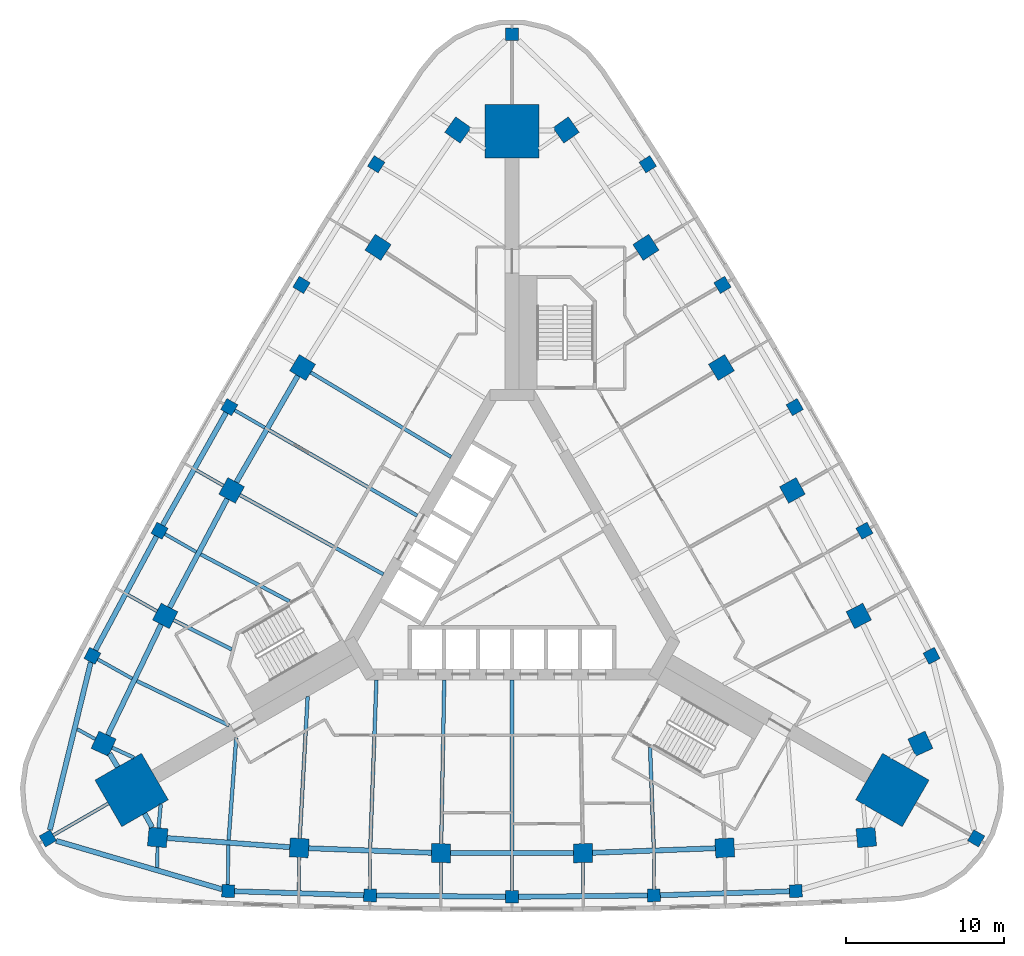
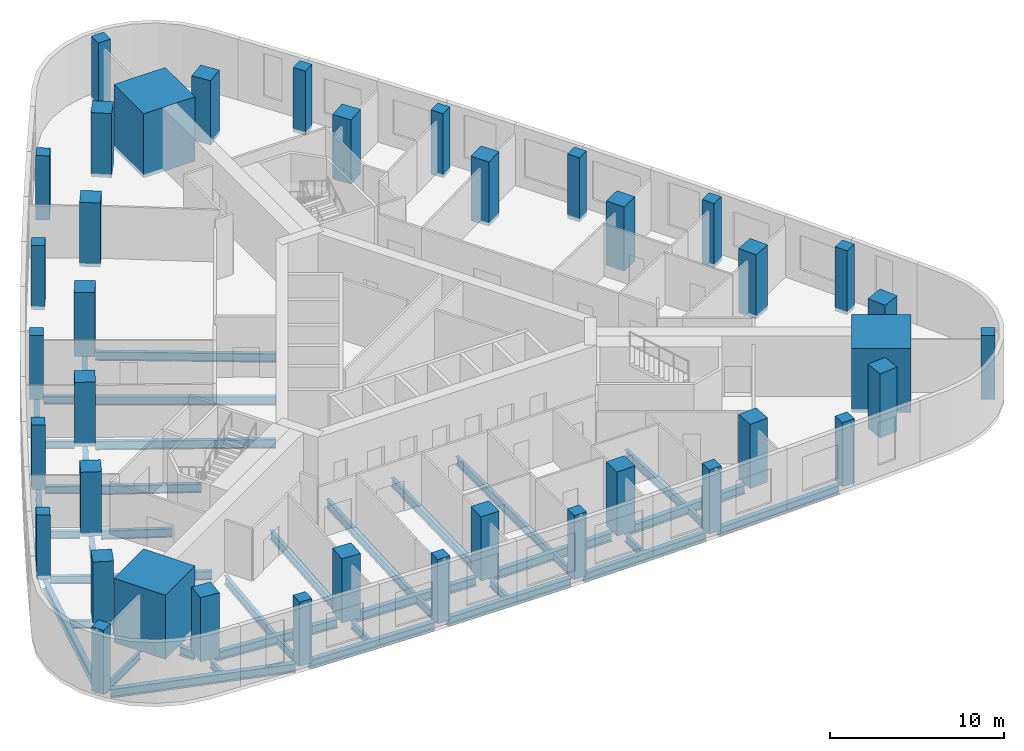
# One storey, part 1 of 11: 46 beams, 39 columns.
"""IFC4 building model written with IfcOpenShell, lengths in metres."""

import ifcopenshell
import ifcopenshell.guid

model = None  # the IFC model being written
_history = None  # IfcOwnerHistory: only IFC2X3 demands one
_inside = {}  # id of a spatial element -> (the spatial element, [elements in it])
_under = {}  # id of a project, library or spatial element -> (it, [spatial elements below it])
_declared = {}  # id of a project -> (the project, [libraries it declares])
_typed = {}  # id of a type object -> (the type object, [elements of that type])
_made_of = {}  # id of a material, layer set ... -> (it, [elements and type objects made of it])


def new_model(schema):
    """Start an empty IFC model of exactly this schema.

    Asked for "IFC4X3", IfcOpenShell would pick the latest addendum, in which some entities
    have other attributes; the version numbers below select the first issue.
    IFC2X3 requires an IfcOwnerHistory on every rooted entity: one is made here for all.
    """
    global model, _history
    if schema == "IFC4X3":
        model = ifcopenshell.file(schema_version=(4, 3, 0, 0))
    else:
        model = ifcopenshell.file(schema=schema)
    _inside.clear()
    _under.clear()
    _declared.clear()
    _typed.clear()
    _made_of.clear()
    _history = None
    if model.schema == "IFC2X3":
        org = make("IfcOrganization", Name="unknown")
        user = make(
            "IfcPersonAndOrganization",
            ThePerson=make("IfcPerson", FamilyName="unknown"),
            TheOrganization=org,
        )
        app = make(
            "IfcApplication",
            ApplicationDeveloper=org,
            Version="unknown",
            ApplicationFullName="unknown",
            ApplicationIdentifier="unknown",
        )
        _history = make(
            "IfcOwnerHistory",
            OwningUser=user,
            OwningApplication=app,
            ChangeAction="ADDED",
            CreationDate=0,
        )
    return model


def make(cls, **values):
    """One entity of the class cls with the attributes given. An attribute that is None is left unset."""
    return model.create_entity(
        cls, **{name: value for name, value in values.items() if value is not None}
    )


def rooted(cls, **values):
    """An entity with a GlobalId (a new one), such as an element, a storey or a relation."""
    return make(cls, GlobalId=ifcopenshell.guid.new(), OwnerHistory=_history, **values)


def si_unit(unit_type, name, prefix=None):
    """IfcSIUnit, for example si_unit("LENGTHUNIT", "METRE", prefix="MILLI")."""
    return make("IfcSIUnit", UnitType=unit_type, Prefix=prefix, Name=name)


def assignment(units):
    """IfcUnitAssignment: the units of a project."""
    return None if units is None else make("IfcUnitAssignment", Units=units)


def point(xyz):
    """IfcCartesianPoint."""
    return None if xyz is None else make("IfcCartesianPoint", Coordinates=xyz)


def direction(xyz):
    """IfcDirection."""
    return None if xyz is None else make("IfcDirection", DirectionRatios=xyz)


def frame(location, z_axis=None, x_axis=None):
    """IfcAxis2Placement3D, a coordinate frame: its origin and axes. An axis left out is left unset."""
    return make(
        "IfcAxis2Placement3D",
        Location=point(location),
        Axis=direction(z_axis),
        RefDirection=direction(x_axis),
    )


def frame_2d(location, x_axis=None):
    """IfcAxis2Placement2D, a coordinate frame in the plane: its origin and x axis."""
    return make(
        "IfcAxis2Placement2D", Location=point(location), RefDirection=direction(x_axis)
    )


def origin():
    """The frame at (0, 0, 0) with its axes left unset."""
    return frame((0.0, 0.0, 0.0))


def origin_2d():
    """The frame at (0, 0) in the plane with its x axis left unset."""
    return frame_2d((0.0, 0.0))


def place(relative_to, where):
    """IfcLocalPlacement: puts the frame where relative to a parent placement (None: the world)."""
    return make(
        "IfcLocalPlacement", PlacementRelTo=relative_to, RelativePlacement=where
    )


def context(
    kind, dimensions, precision=None, world=None, true_north=None, identifier=None
):
    """IfcGeometricRepresentationContext, for example the 3D "Model" context."""
    return make(
        "IfcGeometricRepresentationContext",
        ContextIdentifier=identifier,
        ContextType=kind,
        CoordinateSpaceDimension=dimensions,
        Precision=precision,
        WorldCoordinateSystem=world,
        TrueNorth=true_north,
    )


def subcontext(parent, identifier, kind, view, scale=None):
    """IfcGeometricRepresentationSubContext, for example "Body" below "Model"."""
    return make(
        "IfcGeometricRepresentationSubContext",
        ContextIdentifier=identifier,
        ContextType=kind,
        ParentContext=parent,
        TargetScale=scale,
        TargetView=view,
    )


def project(units=None, contexts=None):
    """IfcProject with its units and contexts."""
    return rooted(
        "IfcProject",
        Name="project",
        RepresentationContexts=contexts,
        UnitsInContext=assignment(units),
    )


def spatial(cls, under=None, at=None, **own):
    """A site, building, storey or space (cls), placed at a placement, below another one or the project."""
    s = rooted(cls, ObjectPlacement=at, **own)
    if under is not None:
        _under.setdefault(under.id(), (under, []))[1].append(s)
    return s


def profile(cls, at=None, kind="AREA", **sizes):
    """A parametric profile (cls). Its sizes go by their IFC names, for example OverallWidth=200.0."""
    return make(cls, ProfileType=kind, Position=at, **sizes)


def rectangle(**sizes):
    """IfcRectangleProfileDef."""
    return profile("IfcRectangleProfileDef", **sizes)


def i_section(**sizes):
    """IfcIShapeProfileDef."""
    return profile("IfcIShapeProfileDef", **sizes)


def extrude(swept, where, along, depth):
    """IfcExtrudedAreaSolid: the profile swept, set in the frame where, extruded along a direction by depth."""
    return make(
        "IfcExtrudedAreaSolid",
        SweptArea=swept,
        Position=where,
        ExtrudedDirection=direction(along),
        Depth=depth,
    )


def shape(context_of_items, identifier, shape_type, items):
    """IfcShapeRepresentation: the items that make up one representation, for example the "Body"."""
    return make(
        "IfcShapeRepresentation",
        ContextOfItems=context_of_items,
        RepresentationIdentifier=identifier,
        RepresentationType=shape_type,
        Items=items,
    )


def material(Name=None, Category=None):
    """IfcMaterial."""
    return make("IfcMaterial", Name=Name, Category=Category)


def material_profile(
    of_material, cross_section, Name=None, Category=None, Priority=None
):
    """IfcMaterialProfile: a cross section and its material."""
    return make(
        "IfcMaterialProfile",
        Name=Name,
        Material=of_material,
        Profile=cross_section,
        Priority=Priority,
        Category=Category,
    )


def profile_set(profiles, Name=None, composite=None):
    """IfcMaterialProfileSet."""
    return make(
        "IfcMaterialProfileSet",
        Name=Name,
        MaterialProfiles=profiles,
        CompositeProfile=composite,
    )


def made_of(thing, what):
    """Note that an element or type object is made of a material, layer set ...; save() writes the relation."""
    if what is not None:
        _made_of.setdefault(what.id(), (what, []))[1].append(thing)
    return thing


def type_object(cls, material=None, **own):
    """A type object (cls), such as IfcWallType, which elements share."""
    return made_of(rooted(cls, **own), material)


def element(
    cls,
    number,
    at=None,
    inside=None,
    cuts=None,
    type_object=None,
    material=None,
    context=None,
    identifier="Body",
    shape_type=None,
    held_by="IfcProductDefinitionShape",
    body=None,
    shapes=None,
    **own,
):
    """One element of the class cls, such as IfcWall. Its Tag is "e" and its number.

    at: its placement. inside: the storey or other place that contains it. cuts: it is an
    opening in that element (IfcRelVoidsElement). A single representation is given by context,
    identifier, shape_type and body (its items); several are given by shapes. held_by: the class
    of the entity that holds the representations. save() writes the other relations.
    """
    e = rooted(cls, Tag="e%d" % number, ObjectPlacement=at, **own)
    if body is not None:
        shapes = [shape(context, identifier, shape_type, body)]
    if shapes is not None:
        e.Representation = make(held_by, Representations=shapes)
    if inside is not None:
        _inside.setdefault(inside.id(), (inside, []))[1].append(e)
    if cuts is not None:
        rooted(
            "IfcRelVoidsElement", RelatingBuildingElement=cuts, RelatedOpeningElement=e
        )
    if type_object is not None:
        _typed.setdefault(type_object.id(), (type_object, []))[1].append(e)
    return made_of(e, material)


def aggregate(whole, parts):
    """IfcRelAggregates: a whole, such as a stair, and the parts it consists of."""
    return rooted("IfcRelAggregates", RelatingObject=whole, RelatedObjects=parts)


def save(model, path):
    """Write the relations noted so far, then the file.

    IfcRelAggregates (storeys below a building ...), IfcRelContainedInSpatialStructure (elements
    in a storey), IfcRelDefinesByType, IfcRelAssociatesMaterial and IfcRelDeclares: one each for
    every whole, place, type object, material and project.
    """
    for whole, parts in _under.values():
        aggregate(whole, parts)
    for where, things in _inside.values():
        rooted(
            "IfcRelContainedInSpatialStructure",
            RelatedElements=things,
            RelatingStructure=where,
        )
    for kind, things in _typed.values():
        rooted("IfcRelDefinesByType", RelatedObjects=things, RelatingType=kind)
    for what, things in _made_of.values():
        rooted("IfcRelAssociatesMaterial", RelatedObjects=things, RelatingMaterial=what)
    for by, libraries in _declared.values():
        rooted("IfcRelDeclares", RelatingContext=by, RelatedDefinitions=libraries)
    model.write(path)


model = new_model("IFC4")

# Units and contexts
model_context = context("Model", 3, precision=1e-05, world=origin(), true_north=direction((0.0, 1.0)))
body_context = subcontext(model_context, "Body", "Model", "MODEL_VIEW")
ifc_project = project(units=[si_unit("LENGTHUNIT", "METRE"), si_unit("AREAUNIT", "SQUARE_METRE"), si_unit("VOLUMEUNIT", "CUBIC_METRE"), si_unit("PLANEANGLEUNIT", "RADIAN"), si_unit("MASSUNIT", "GRAM", prefix="KILO")], contexts=[model_context])

# Site, building, storey
site_placement = place(None, origin())
site = spatial("IfcSite", under=ifc_project, at=site_placement, CompositionType="ELEMENT")
building_placement = place(site_placement, origin())
building = spatial("IfcBuilding", under=site, at=building_placement, Name="Noor Cloister Tower", CompositionType="ELEMENT")
storey_placement = place(building_placement, frame((0.0, 0.0, 15.0)))
storey = spatial("IfcBuildingStorey", under=building, at=storey_placement, Name="L03", CompositionType="ELEMENT", Elevation=15.0)

# Columns
ifc_material_1 = material(Name="Concrete C80/95", Category="concrete")
ifc_material_profile_1 = material_profile(ifc_material_1, rectangle(XDim=3.39990234375, YDim=3.39990234375, at=origin_2d()), Name="RC 3400x3400")
ifc_profile_set_1 = profile_set([ifc_material_profile_1], Name="Concrete C80/95")
column_type_1 = type_object("IfcColumnType", Name="Corner pier 3400 x 3400 C80/95", PredefinedType="COLUMN", material=ifc_profile_set_1)
for number, where, z_axis, x_axis, name in (
    (1, (0.0, 27.7890625, -0.25), (0.0, 0.0, 1.0), (0.0, 1.0, 0.0), "Corner pier N L03"),
    (2, (-24.06591796875, -13.89453125, -0.25), (0.0, 0.0, 1.0), (-0.866025403784, -0.5, 0.0), "Corner pier SW L03"),
    (3, (24.06591796875, -13.89453125, -0.25), (0.0, 0.0, 1.0), (0.866025403784, -0.5, 0.0), "Corner pier SE L03"),
):
    element("IfcColumn", number, at=place(storey_placement, frame(where, z_axis=z_axis, x_axis=x_axis)), inside=storey, type_object=column_type_1, Name=name, PredefinedType="COLUMN", context=body_context, shape_type="SweptSolid", body=[
        extrude(rectangle(XDim=3.39990234375, YDim=3.39990234375, at=origin_2d()), origin(), (0.0, 0.0, 1.0), 4.5),
    ])
ifc_material_2 = material(Name="Concrete C80/95", Category="concrete")
ifc_material_profile_2 = material_profile(ifc_material_2, rectangle(XDim=1.199951171875, YDim=1.199951171875, at=origin_2d()), Name="Podium column 1200")
ifc_profile_set_2 = profile_set([ifc_material_profile_2], Name="Concrete C80/95")
column_type_2 = type_object("IfcColumnType", Name="Podium column 1200", PredefinedType="COLUMN", material=ifc_profile_set_2)
for number, where, z_axis, x_axis, name in (
    (4, (-3.421142578125, 27.85986328125, -0.25), (0.0, 0.0, 1.0), (-0.815983256934, 0.578075535205, 0.0), "Column NW 00"),
    (5, (-8.474853515625, 20.43798828125, -0.25), (0.0, 0.0, 1.0), (-0.836867705394, 0.547405191489, 0.0), "Column NW 02"),
    (6, (-13.249755859375, 12.833740234375, -0.25), (0.0, 0.0, 1.0), (-0.856599929156, 0.515981163775, 0.0), "Column NW 04"),
    (7, (-17.7392578125, 5.0576171875, -0.25), (0.0, 0.0, 1.0), (-0.875152760281, 0.483846717641, 0.0), "Column NW 06"),
    (8, (-21.937255859375, -2.879638671875, -0.25), (0.0, 0.0, 1.0), (-0.89250065469, 0.451046096733, 0.0), "Column NW 08"),
    (9, (-25.837890625, -10.96728515625, -0.25), (0.0, 0.0, 1.0), (-0.908619727261, 0.417624461966, 0.0), "Column NW 10"),
    (10, (-22.416748046875, -16.892578125, -0.25), (0.0, 0.0, 1.0), (-0.092636470327, -0.995699997171, 0.0), "Column S 00"),
    (11, (-13.46240234375, -17.558349609375, -0.25), (0.0, 0.0, 1.0), (-0.055632949296, -0.998451288222, 0.0), "Column S 02"),
    (12, (-4.489501953125, -17.8916015625, -0.25), (0.0, 0.0, 1.0), (-0.018552831126, -0.999827881416, 0.0), "Column S 04"),
    (13, (4.489501953125, -17.8916015625, -0.25), (0.0, 0.0, 1.0), (0.018552831126, -0.999827881416, 0.0), "Column S 06"),
    (14, (13.46240234375, -17.558349609375, -0.25), (0.0, 0.0, 1.0), (0.055632949296, -0.998451288222, 0.0), "Column S 08"),
    (15, (22.416748046875, -16.892578125, -0.25), (0.0, 0.0, 1.0), (0.092636470327, -0.995699997171, 0.0), "Column S 10"),
    (16, (25.837890625, -10.96728515625, -0.25), (0.0, 0.0, 1.0), (0.908619727261, 0.417624461966, 0.0), "Column NE 00"),
    (17, (21.937255859375, -2.879638671875, -0.25), (0.0, 0.0, 1.0), (0.89250065469, 0.451046096733, 0.0), "Column NE 02"),
    (18, (17.7392578125, 5.0576171875, -0.25), (0.0, 0.0, 1.0), (0.875152760281, 0.483846717641, 0.0), "Column NE 04"),
    (19, (13.249755859375, 12.833740234375, -0.25), (0.0, 0.0, 1.0), (0.856599929156, 0.515981163775, 0.0), "Column NE 06"),
    (20, (8.474853515625, 20.43798828125, -0.25), (0.0, 0.0, 1.0), (0.836867705394, 0.547405191489, 0.0), "Column NE 08"),
    (21, (3.421142578125, 27.85986328125, -0.25), (0.0, 0.0, 1.0), (0.815983256934, 0.578075535205, 0.0), "Column NE 10"),
):
    element("IfcColumn", number, at=place(storey_placement, frame(where, z_axis=z_axis, x_axis=x_axis)), inside=storey, type_object=column_type_2, Name=name, PredefinedType="COLUMN", context=body_context, shape_type="SweptSolid", body=[
        extrude(rectangle(XDim=1.199951171875, YDim=1.199951171875, at=origin_2d()), origin(), (0.0, 0.0, 1.0), 4.5),
    ])
ifc_material_3 = material(Name="Concrete C60/75", Category="concrete")
ifc_material_profile_3 = material_profile(ifc_material_3, rectangle(XDim=0.800048828125, YDim=0.800048828125, at=origin_2d()), Name="Podium column 800")
ifc_profile_set_3 = profile_set([ifc_material_profile_3], Name="Concrete C60/75")
column_type_3 = type_object("IfcColumnType", Name="Podium column 800", PredefinedType="COLUMN", material=ifc_profile_set_3)
for number, where, z_axis, x_axis, name in (
    (22, (0.0, 33.9130859375, -0.25), (0.0, 0.0, 1.0), (0.0, 1.0, 0.0), "Perimeter column N"),
    (23, (-8.59228515625, 25.694580078125, -0.25), (0.0, 0.0, 1.0), (-0.844762079338, 0.535142064607, 0.0), "Perimeter column NW 01"),
    (24, (-13.31982421875, 18.059326171875, -0.25), (0.0, 0.0, 1.0), (-0.855574189811, 0.517680215702, 0.0), "Perimeter column NW 03"),
    (25, (-17.8896484375, 10.32861328125, -0.25), (0.0, 0.0, 1.0), (-0.866025403784, 0.5, 0.0), "Perimeter column NW 05"),
    (26, (-22.2998046875, 2.505615234375, -0.25), (0.0, 0.0, 1.0), (-0.87611131274, 0.482108875348, 0.0), "Perimeter column NW 07"),
    (27, (-26.54833984375, -5.406005859375, -0.25), (0.0, 0.0, 1.0), (-0.885827662253, 0.464014388557, 0.0), "Perimeter column NW 09"),
    (28, (-29.36962890625, -16.95654296875, -0.25), (0.0, 0.0, 1.0), (-0.866025403784, -0.5, 0.0), "Perimeter column SW"),
    (29, (-17.955810546875, -20.288330078125, -0.25), (0.0, 0.0, 1.0), (-0.041065582914, -0.999156453164, 0.0), "Perimeter column S 01"),
    (30, (-8.979736328125, -20.56494140625, -0.25), (0.0, 0.0, 1.0), (-0.020537122929, -0.99978909105, 0.0), "Perimeter column S 03"),
    (31, (0.0, -20.6572265625, -0.25), (0.0, 0.0, 1.0), (0.0, -1.0, 0.0), "Perimeter column S 05"),
    (32, (8.979736328125, -20.56494140625, -0.25), (0.0, 0.0, 1.0), (0.020537122929, -0.99978909105, 0.0), "Perimeter column S 07"),
    (33, (17.955810546875, -20.288330078125, -0.25), (0.0, 0.0, 1.0), (0.041065582914, -0.999156453164, 0.0), "Perimeter column S 09"),
    (34, (29.36962890625, -16.95654296875, -0.25), (0.0, 0.0, 1.0), (0.866025403784, -0.5, 0.0), "Perimeter column SE"),
    (35, (26.54833984375, -5.406005859375, -0.25), (0.0, 0.0, 1.0), (0.885827662253, 0.464014388557, 0.0), "Perimeter column NE 01"),
    (36, (22.2998046875, 2.505615234375, -0.25), (0.0, 0.0, 1.0), (0.87611131274, 0.482108875348, 0.0), "Perimeter column NE 03"),
    (37, (17.8896484375, 10.32861328125, -0.25), (0.0, 0.0, 1.0), (0.866025403784, 0.5, 0.0), "Perimeter column NE 05"),
    (38, (13.31982421875, 18.059326171875, -0.25), (0.0, 0.0, 1.0), (0.855574189811, 0.517680215702, 0.0), "Perimeter column NE 07"),
    (39, (8.59228515625, 25.694580078125, -0.25), (0.0, 0.0, 1.0), (0.844762079338, 0.535142064607, 0.0), "Perimeter column NE 09"),
):
    element("IfcColumn", number, at=place(storey_placement, frame(where, z_axis=z_axis, x_axis=x_axis)), inside=storey, type_object=column_type_3, Name=name, PredefinedType="COLUMN", context=body_context, shape_type="SweptSolid", body=[
        extrude(rectangle(XDim=0.800048828125, YDim=0.800048828125, at=origin_2d()), origin(), (0.0, 0.0, 1.0), 4.5),
    ])

# Beams
ifc_material_4 = material(Name="Steel ASTM A992 Gr 50", Category="steel")
ifc_material_profile_4 = material_profile(ifc_material_4, i_section(OverallWidth=0.324951171875, OverallDepth=0.612060546875, WebThickness=0.0126953125, FlangeThickness=0.01904296875, FilletRadius=0.0126953125, at=origin_2d()), Name="W610x155")
ifc_profile_set_4 = profile_set([ifc_material_profile_4], Name="Steel ASTM A992 Gr 50")
beam_type_1 = type_object("IfcBeamType", Name="Podium column line beam W610x155", PredefinedType="BEAM", material=ifc_profile_set_4)
beam_1_placement = place(storey_placement, frame((-13.5498046875, 12.314208984375, -0.555908203125), z_axis=(-0.499990506207, -0.866030884959, 0.0), x_axis=(0.866030884959, -0.499990506207, 0.0)))
element("IfcBeam", 40, at=beam_1_placement, inside=storey, type_object=beam_type_1, Name="Podium column line beam NW 04 L03", PredefinedType="BEAM", context=body_context, shape_type="SweptSolid", body=[
    extrude(i_section(OverallWidth=0.324951171875, OverallDepth=0.612060546875, WebThickness=0.0126953125, FlangeThickness=0.01904296875, FilletRadius=0.0126953125, at=origin_2d()), origin(), (0.0, 0.0, 1.0), 7.779052734375),
])
for number, where, z_axis, x_axis, name in (
    (41, (-18.019775390625, 4.527099609375, -0.555908203125), (-0.467547366886, -0.883968019624, 0.0), (0.883968019624, -0.467547366886, 0.0), "Podium column line beam NW 06 L03"),
    (42, (-22.197998046875, -3.420166015625, -0.555908203125), (-0.434400589533, -0.900719783181, 0.0), (0.900719783181, -0.434400589533, 0.0), "Podium column line beam NW 08 L03"),
):
    element("IfcBeam", number, at=place(storey_placement, frame(where, z_axis=z_axis, x_axis=x_axis)), inside=storey, type_object=beam_type_1, Name=name, PredefinedType="BEAM", context=body_context, shape_type="SweptSolid", body=[
        extrude(i_section(OverallWidth=0.324951171875, OverallDepth=0.612060546875, WebThickness=0.0126953125, FlangeThickness=0.01904296875, FilletRadius=0.0126953125, at=origin_2d()), origin(), (0.0, 0.0, 1.0), 7.77880859375),
    ])
for number, where, z_axis, x_axis, name in (
    (43, (-21.818359375, -16.93701171875, -0.555908203125), (0.997246218275, -0.074161850945, 0.0), (0.074161850945, 0.997246218275, 0.0), "Podium column line beam S 00 L03"),
    (44, (-12.86279296875, -17.58056640625, -0.555908203125), (0.999311691731, -0.037096398343, 0.0), (0.037096398343, 0.999311691731, 0.0), "Podium column line beam S 02 L03"),
):
    element("IfcBeam", number, at=place(storey_placement, frame(where, z_axis=z_axis, x_axis=x_axis)), inside=storey, type_object=beam_type_1, Name=name, PredefinedType="BEAM", context=body_context, shape_type="SweptSolid", body=[
        extrude(i_section(OverallWidth=0.324951171875, OverallDepth=0.612060546875, WebThickness=0.0126953125, FlangeThickness=0.01904296875, FilletRadius=0.0126953125, at=origin_2d()), origin(), (0.0, 0.0, 1.0), 7.779052734375),
    ])
beam_2_placement = place(storey_placement, frame((-3.889404296875, -17.8916015625, -0.555908203125), z_axis=(1.0, 0.0, 0.0), x_axis=(0.0, 1.0, 0.0)))
element("IfcBeam", 45, at=beam_2_placement, inside=storey, type_object=beam_type_1, Name="Podium column line beam S 04 L03", PredefinedType="BEAM", context=body_context, shape_type="SweptSolid", body=[
    extrude(i_section(OverallWidth=0.324951171875, OverallDepth=0.612060546875, WebThickness=0.0126953125, FlangeThickness=0.01904296875, FilletRadius=0.0126953125, at=origin_2d()), origin(), (0.0, 0.0, 1.0), 7.77880859375),
])
beam_3_placement = place(storey_placement, frame((5.089111328125, -17.869140625, -0.555908203125), z_axis=(0.999311691731, 0.037096398343, 0.0), x_axis=(-0.037096398343, 0.999311691731, 0.0)))
element("IfcBeam", 46, at=beam_3_placement, inside=storey, type_object=beam_type_1, Name="Podium column line beam S 06 L03", PredefinedType="BEAM", context=body_context, shape_type="SweptSolid", body=[
    extrude(i_section(OverallWidth=0.324951171875, OverallDepth=0.612060546875, WebThickness=0.0126953125, FlangeThickness=0.01904296875, FilletRadius=0.0126953125, at=origin_2d()), origin(), (0.0, 0.0, 1.0), 7.779052734375),
])
for number, where, z_axis, x_axis, name in (
    (47, (-25.46240234375, -11.58740234375, -0.555908203125), (0.517698861359, -0.855562907651, 0.0), (0.855562907651, 0.517698861359, 0.0), "Podium end beam NW 10 L03"),
    (48, (-22.76611328125, -16.257568359375, -0.555908203125), (-0.48185292196, 0.876252110753, 0.0), (-0.876252110753, -0.48185292196, 0.0), "Podium end beam S 00 L03"),
):
    element("IfcBeam", number, at=place(storey_placement, frame(where, z_axis=z_axis, x_axis=x_axis)), inside=storey, type_object=beam_type_1, Name=name, PredefinedType="BEAM", context=body_context, shape_type="SweptSolid", body=[
        extrude(i_section(OverallWidth=0.324951171875, OverallDepth=0.612060546875, WebThickness=0.0126953125, FlangeThickness=0.01904296875, FilletRadius=0.0126953125, at=origin_2d()), origin(), (0.0, 0.0, 1.0), 0.99658203125),
    ])
ifc_material_5 = material(Name="Steel ASTM A992 Gr 50", Category="steel")
ifc_material_profile_5 = material_profile(ifc_material_5, i_section(OverallWidth=0.324951171875, OverallDepth=0.616943359375, WebThickness=0.013916015625, FlangeThickness=0.021484375, FilletRadius=0.0126953125, at=origin_2d()), Name="W610x174")
ifc_profile_set_5 = profile_set([ifc_material_profile_5], Name="Steel ASTM A992 Gr 50")
beam_type_2 = type_object("IfcBeamType", Name="Podium perimeter beam W610x174", PredefinedType="BEAM", material=ifc_profile_set_5)
for number, where, z_axis, x_axis, name in (
    (49, (-18.086181640625, 9.980224609375, -0.55859375), (-0.491071539523, -0.871119247331, 0.0), (0.871119247331, -0.491071539523, 0.0), "Podium perimeter beam 04 L03"),
    (50, (-22.489013671875, 2.1533203125, -0.55859375), (-0.47307258725, -0.881023454394, 0.0), (0.881023454394, -0.47307258725, 0.0), "Podium perimeter beam 05 L03"),
):
    element("IfcBeam", number, at=place(storey_placement, frame(where, z_axis=z_axis, x_axis=x_axis)), inside=storey, type_object=beam_type_2, Name=name, PredefinedType="BEAM", context=body_context, shape_type="SweptSolid", body=[
        extrude(i_section(OverallWidth=0.324951171875, OverallDepth=0.616943359375, WebThickness=0.013916015625, FlangeThickness=0.021484375, FilletRadius=0.0126953125, at=origin_2d()), origin(), (0.0, 0.0, 1.0), 8.18017578125),
    ])
for number, where, z_axis, x_axis, name in (
    (51, (-26.64599609375, -5.806396484375, -0.55859375), (-0.237289539542, -0.971438971024, 0.0), (0.971438971024, -0.237289539542, 0.0), "Podium perimeter beam 06 L03"),
    (52, (-28.83837890625, -17.111572265625, -0.55859375), (0.959935397728, -0.280221398522, 0.0), (0.280221398522, 0.959935397728, 0.0), "Podium perimeter beam 07 L03"),
):
    element("IfcBeam", number, at=place(storey_placement, frame(where, z_axis=z_axis, x_axis=x_axis)), inside=storey, type_object=beam_type_2, Name=name, PredefinedType="BEAM", context=body_context, shape_type="SweptSolid", body=[
        extrude(i_section(OverallWidth=0.324951171875, OverallDepth=0.616943359375, WebThickness=0.013916015625, FlangeThickness=0.021484375, FilletRadius=0.0126953125, at=origin_2d()), origin(), (0.0, 0.0, 1.0), 10.924560546875),
    ])
for number, where, z_axis, x_axis, name in (
    (53, (-17.55615234375, -20.30078125, -0.55859375), (0.999525578868, -0.030799629673, 0.0), (0.030799629673, 0.999525578868, 0.0), "Podium perimeter beam 08 L03"),
    (54, (-8.579833984375, -20.569091796875, -0.55859375), (0.999947297246, -0.010266583204, 0.0), (0.010266583204, 0.999947297246, 0.0), "Podium perimeter beam 09 L03"),
    (55, (0.39990234375, -20.653076171875, -0.55859375), (0.999947297246, 0.010266583204, 0.0), (-0.010266583204, 0.999947297246, 0.0), "Podium perimeter beam 10 L03"),
    (56, (9.379638671875, -20.552734375, -0.55859375), (0.999525578868, 0.030799629673, 0.0), (-0.030799629673, 0.999525578868, 0.0), "Podium perimeter beam 11 L03"),
):
    element("IfcBeam", number, at=place(storey_placement, frame(where, z_axis=z_axis, x_axis=x_axis)), inside=storey, type_object=beam_type_2, Name=name, PredefinedType="BEAM", context=body_context, shape_type="SweptSolid", body=[
        extrude(i_section(OverallWidth=0.324951171875, OverallDepth=0.616943359375, WebThickness=0.013916015625, FlangeThickness=0.021484375, FilletRadius=0.0126953125, at=origin_2d()), origin(), (0.0, 0.0, 1.0), 8.180419921875),
    ])
ifc_material_6 = material(Name="Steel ASTM A992 Gr 50", Category="steel")
ifc_material_profile_6 = material_profile(ifc_material_6, i_section(OverallWidth=0.22900390625, OverallDepth=0.612060546875, WebThickness=0.011962890625, FlangeThickness=0.01953125, FilletRadius=0.0126953125, at=origin_2d()), Name="W610x125")
ifc_profile_set_6 = profile_set([ifc_material_profile_6], Name="Steel ASTM A992 Gr 50")
beam_type_3 = type_object("IfcBeamType", Name="Podium radial beam W610x125", PredefinedType="BEAM", material=ifc_profile_set_6)
beam_4_placement = place(storey_placement, frame((-12.73583984375, 12.524169921875, -0.555908203125), z_axis=(0.856606308575, -0.515970572911, 0.0), x_axis=(0.515970572911, 0.856606308575, 0.0)))
element("IfcBeam", 57, at=beam_4_placement, inside=storey, type_object=beam_type_3, Name="Podium radial beam NW 04 L03", PredefinedType="BEAM", context=body_context, shape_type="SweptSolid", body=[
    extrude(i_section(OverallWidth=0.22900390625, OverallDepth=0.612060546875, WebThickness=0.011962890625, FlangeThickness=0.01953125, FilletRadius=0.0126953125, at=origin_2d()), origin(), (0.0, 0.0, 1.0), 10.365234375),
])
beam_5_placement = place(storey_placement, frame((-15.353759765625, 8.864501953125, -0.555908203125), z_axis=(0.866025607992, -0.499999646302, 0.0), x_axis=(0.499999646302, 0.866025607992, 0.0)))
element("IfcBeam", 58, at=beam_5_placement, inside=storey, type_object=beam_type_3, Name="Podium radial beam NW 05 L03", PredefinedType="BEAM", context=body_context, shape_type="SweptSolid", body=[
    extrude(i_section(OverallWidth=0.22900390625, OverallDepth=0.612060546875, WebThickness=0.011962890625, FlangeThickness=0.01953125, FilletRadius=0.0126953125, at=origin_2d()), origin(), (0.0, 0.0, 1.0), 10.80078125),
])
beam_6_placement = place(storey_placement, frame((-17.214111328125, 4.767333984375, -0.555908203125), z_axis=(0.875152039929, -0.483848020568, 0.0), x_axis=(0.483848020568, 0.875152039929, 0.0)))
element("IfcBeam", 59, at=beam_6_placement, inside=storey, type_object=beam_type_3, Name="Podium radial beam NW 06 L03", PredefinedType="BEAM", context=body_context, shape_type="SweptSolid", body=[
    extrude(i_section(OverallWidth=0.22900390625, OverallDepth=0.612060546875, WebThickness=0.011962890625, FlangeThickness=0.01953125, FilletRadius=0.0126953125, at=origin_2d()), origin(), (0.0, 0.0, 1.0), 10.364990234375),
])
beam_7_placement = place(storey_placement, frame((-19.694580078125, 1.01318359375, -0.555908203125), z_axis=(0.883972630555, -0.467538649129, 0.0), x_axis=(0.467538649129, 0.883972630555, 0.0)))
element("IfcBeam", 60, at=beam_7_placement, inside=storey, type_object=beam_type_3, Name="Podium radial beam NW 07 L03", PredefinedType="BEAM", context=body_context, shape_type="SweptSolid", body=[
    extrude(i_section(OverallWidth=0.22900390625, OverallDepth=0.612060546875, WebThickness=0.011962890625, FlangeThickness=0.01953125, FilletRadius=0.0126953125, at=origin_2d()), origin(), (0.0, 0.0, 1.0), 6.36328125),
])
beam_8_placement = place(storey_placement, frame((-21.401611328125, -3.150146484375, -0.555908203125), z_axis=(0.892482631296, -0.451081758481, 0.0), x_axis=(0.451081758481, 0.892482631296, 0.0)))
element("IfcBeam", 61, at=beam_8_placement, inside=storey, type_object=beam_type_3, Name="Podium radial beam NW 08 L03", PredefinedType="BEAM", context=body_context, shape_type="SweptSolid", body=[
    extrude(i_section(OverallWidth=0.22900390625, OverallDepth=0.612060546875, WebThickness=0.011962890625, FlangeThickness=0.01953125, FilletRadius=0.0126953125, at=origin_2d()), origin(), (0.0, 0.0, 1.0), 4.110595703125),
])
beam_9_placement = place(storey_placement, frame((-23.7412109375, -6.993896484375, -0.555908203125), z_axis=(0.900702438264, -0.43443655199, 0.0), x_axis=(0.43443655199, 0.900702438264, 0.0)))
element("IfcBeam", 62, at=beam_9_placement, inside=storey, type_object=beam_type_3, Name="Podium radial beam NW 09 L03", PredefinedType="BEAM", context=body_context, shape_type="SweptSolid", body=[
    extrude(i_section(OverallWidth=0.22900390625, OverallDepth=0.612060546875, WebThickness=0.011962890625, FlangeThickness=0.01953125, FilletRadius=0.0126953125, at=origin_2d()), origin(), (0.0, 0.0, 1.0), 6.489013671875),
])
for number, where, z_axis, x_axis, name in (
    (63, (-25.292724609375, -11.2177734375, -0.555908203125), (0.908602193803, -0.417662607157, 0.0), (0.417662607157, 0.908602193803, 0.0), "Podium radial beam NW 10 L03"),
    (64, (-22.361328125, -16.295166015625, -0.555908203125), (0.09269423525, 0.995694621233, 0.0), (-0.995694621233, 0.09269423525, 0.0), "Podium radial beam S 00 L03"),
):
    element("IfcBeam", number, at=place(storey_placement, frame(where, z_axis=z_axis, x_axis=x_axis)), inside=storey, type_object=beam_type_3, Name=name, PredefinedType="BEAM", context=body_context, shape_type="SweptSolid", body=[
        extrude(i_section(OverallWidth=0.22900390625, OverallDepth=0.612060546875, WebThickness=0.011962890625, FlangeThickness=0.01953125, FilletRadius=0.0126953125, at=origin_2d()), origin(), (0.0, 0.0, 1.0), 1.50927734375),
    ])
beam_10_placement = place(storey_placement, frame((-17.927490234375, -17.0634765625, -0.555908203125), z_axis=(0.074118366359, 0.997249451125, 0.0), x_axis=(-0.997249451125, 0.074118366359, 0.0)))
element("IfcBeam", 65, at=beam_10_placement, inside=storey, type_object=beam_type_3, Name="Podium radial beam S 01 L03", PredefinedType="BEAM", context=body_context, shape_type="SweptSolid", body=[
    extrude(i_section(OverallWidth=0.22900390625, OverallDepth=0.612060546875, WebThickness=0.011962890625, FlangeThickness=0.01953125, FilletRadius=0.0126953125, at=origin_2d()), origin(), (0.0, 0.0, 1.0), 6.489013671875),
])
beam_11_placement = place(storey_placement, frame((-13.428955078125, -16.959228515625, -0.555908203125), z_axis=(0.055623451445, 0.99845181739, 0.0), x_axis=(-0.99845181739, 0.055623451445, 0.0)))
element("IfcBeam", 66, at=beam_11_placement, inside=storey, type_object=beam_type_3, Name="Podium radial beam S 02 L03", PredefinedType="BEAM", context=body_context, shape_type="SweptSolid", body=[
    extrude(i_section(OverallWidth=0.22900390625, OverallDepth=0.612060546875, WebThickness=0.011962890625, FlangeThickness=0.01953125, FilletRadius=0.0126953125, at=origin_2d()), origin(), (0.0, 0.0, 1.0), 8.989013671875),
])
beam_12_placement = place(storey_placement, frame((-8.969970703125, -17.5625, -0.555908203125), z_axis=(0.037097363231, 0.999311655912, 0.0), x_axis=(-0.999311655912, 0.037097363231, 0.0)))
element("IfcBeam", 67, at=beam_12_placement, inside=storey, type_object=beam_type_3, Name="Podium radial beam S 03 L03", PredefinedType="BEAM", context=body_context, shape_type="SweptSolid", body=[
    extrude(i_section(OverallWidth=0.22900390625, OverallDepth=0.612060546875, WebThickness=0.011962890625, FlangeThickness=0.01953125, FilletRadius=0.0126953125, at=origin_2d()), origin(), (0.0, 0.0, 1.0), 10.6416015625),
])
beam_13_placement = place(storey_placement, frame((-4.478515625, -17.29150390625, -0.555908203125), z_axis=(0.018560692037, 0.999827735518, 0.0), x_axis=(-0.999827735518, 0.018560692037, 0.0)))
element("IfcBeam", 68, at=beam_13_placement, inside=storey, type_object=beam_type_3, Name="Podium radial beam S 04 L03", PredefinedType="BEAM", context=body_context, shape_type="SweptSolid", body=[
    extrude(i_section(OverallWidth=0.22900390625, OverallDepth=0.612060546875, WebThickness=0.011962890625, FlangeThickness=0.01953125, FilletRadius=0.0126953125, at=origin_2d()), origin(), (0.0, 0.0, 1.0), 10.364990234375),
])
beam_14_placement = place(storey_placement, frame((0.0, -17.72900390625, -0.555908203125), z_axis=(0.0, 1.0, 0.0), x_axis=(-1.0, 0.0, 0.0)))
element("IfcBeam", 69, at=beam_14_placement, inside=storey, type_object=beam_type_3, Name="Podium radial beam S 05 L03", PredefinedType="BEAM", context=body_context, shape_type="SweptSolid", body=[
    extrude(i_section(OverallWidth=0.22900390625, OverallDepth=0.612060546875, WebThickness=0.011962890625, FlangeThickness=0.01953125, FilletRadius=0.0126953125, at=origin_2d()), origin(), (0.0, 0.0, 1.0), 10.80078125),
])
beam_15_placement = place(storey_placement, frame((8.969970703125, -17.5625, -0.555908203125), z_axis=(-0.037101061142, 0.999311518628, 0.0), x_axis=(-0.999311518628, -0.037101061142, 0.0)))
element("IfcBeam", 70, at=beam_15_placement, inside=storey, type_object=beam_type_3, Name="Podium radial beam S 07 L03", PredefinedType="BEAM", context=body_context, shape_type="SweptSolid", body=[
    extrude(i_section(OverallWidth=0.22900390625, OverallDepth=0.612060546875, WebThickness=0.011962890625, FlangeThickness=0.01953125, FilletRadius=0.0126953125, at=origin_2d()), origin(), (0.0, 0.0, 1.0), 6.36328125),
])
ifc_material_7 = material(Name="Steel ASTM A992 Gr 50", Category="steel")
ifc_material_profile_7 = material_profile(ifc_material_7, i_section(OverallWidth=0.208984375, OverallDepth=0.532958984375, WebThickness=0.01025390625, FlangeThickness=0.015625, FilletRadius=0.0126953125, at=origin_2d()), Name="W530x92")
ifc_profile_set_7 = profile_set([ifc_material_profile_7], Name="Steel ASTM A992 Gr 50")
beam_type_4 = type_object("IfcBeamType", Name="Podium stub beam W530x92", PredefinedType="BEAM", material=ifc_profile_set_7)
beam_16_placement = place(storey_placement, frame((-15.63525390625, 9.027099609375, -0.5166015625), z_axis=(-0.86602503688, 0.500000635496, 0.0), x_axis=(-0.500000635496, -0.86602503688, 0.0)))
element("IfcBeam", 71, at=beam_16_placement, inside=storey, type_object=beam_type_4, Name="Podium stub beam NW 05 L03", PredefinedType="BEAM", context=body_context, shape_type="SweptSolid", body=[
    extrude(i_section(OverallWidth=0.208984375, OverallDepth=0.532958984375, WebThickness=0.01025390625, FlangeThickness=0.015625, FilletRadius=0.0126953125, at=origin_2d()), origin(), (0.0, 0.0, 1.0), 2.203125),
])
beam_17_placement = place(storey_placement, frame((-18.259765625, 5.356201171875, -0.5166015625), z_axis=(-0.867389720101, 0.497629453974, 0.0), x_axis=(-0.497629453974, -0.867389720101, 0.0)))
element("IfcBeam", 72, at=beam_17_placement, inside=storey, type_object=beam_type_4, Name="Podium stub beam NW 06 L03", PredefinedType="BEAM", context=body_context, shape_type="SweptSolid", body=[
    extrude(i_section(OverallWidth=0.208984375, OverallDepth=0.532958984375, WebThickness=0.01025390625, FlangeThickness=0.015625, FilletRadius=0.0126953125, at=origin_2d()), origin(), (0.0, 0.0, 1.0), 1.95703125),
])
beam_18_placement = place(storey_placement, frame((-19.980224609375, 1.16845703125, -0.5166015625), z_axis=(-0.868954795395, 0.494891466446, 0.0), x_axis=(-0.494891466446, -0.868954795395, 0.0)))
element("IfcBeam", 73, at=beam_18_placement, inside=storey, type_object=beam_type_4, Name="Podium stub beam NW 07 L03", PredefinedType="BEAM", context=body_context, shape_type="SweptSolid", body=[
    extrude(i_section(OverallWidth=0.208984375, OverallDepth=0.532958984375, WebThickness=0.01025390625, FlangeThickness=0.015625, FilletRadius=0.0126953125, at=origin_2d()), origin(), (0.0, 0.0, 1.0), 2.277099609375),
])
beam_19_placement = place(storey_placement, frame((-22.460205078125, -2.583984375, -0.5166015625), z_axis=(-0.870610366402, 0.491973159748, 0.0), x_axis=(-0.491973159748, -0.870610366402, 0.0)))
element("IfcBeam", 74, at=beam_19_placement, inside=storey, type_object=beam_type_4, Name="Podium stub beam NW 08 L03", PredefinedType="BEAM", context=body_context, shape_type="SweptSolid", body=[
    extrude(i_section(OverallWidth=0.208984375, OverallDepth=0.532958984375, WebThickness=0.01025390625, FlangeThickness=0.015625, FilletRadius=0.0126953125, at=origin_2d()), origin(), (0.0, 0.0, 1.0), 2.1044921875),
])
beam_20_placement = place(storey_placement, frame((-24.03076171875, -6.84619140625, -0.5166015625), z_axis=(-0.872502684482, 0.488609317933, 0.0), x_axis=(-0.488609317933, -0.872502684482, 0.0)))
element("IfcBeam", 75, at=beam_20_placement, inside=storey, type_object=beam_type_4, Name="Podium stub beam NW 09 L03", PredefinedType="BEAM", context=body_context, shape_type="SweptSolid", body=[
    extrude(i_section(OverallWidth=0.208984375, OverallDepth=0.532958984375, WebThickness=0.01025390625, FlangeThickness=0.015625, FilletRadius=0.0126953125, at=origin_2d()), origin(), (0.0, 0.0, 1.0), 2.499267578125),
])
beam_21_placement = place(storey_placement, frame((-26.3642578125, -10.675537109375, -0.5166015625), z_axis=(-0.874735573686, 0.484600532531, 0.0), x_axis=(-0.484600532531, -0.874735573686, 0.0)))
element("IfcBeam", 76, at=beam_21_placement, inside=storey, type_object=beam_type_4, Name="Podium stub beam NW 10 L03", PredefinedType="BEAM", context=body_context, shape_type="SweptSolid", body=[
    extrude(i_section(OverallWidth=0.208984375, OverallDepth=0.532958984375, WebThickness=0.01025390625, FlangeThickness=0.015625, FilletRadius=0.0126953125, at=origin_2d()), origin(), (0.0, 0.0, 1.0), 1.31298828125),
])
beam_22_placement = place(storey_placement, frame((-22.427490234375, -17.494140625, -0.5166015625), z_axis=(-0.017661803966, -0.999844018175, 0.0), x_axis=(0.999844018175, -0.017661803966, 0.0)))
element("IfcBeam", 77, at=beam_22_placement, inside=storey, type_object=beam_type_4, Name="Podium stub beam S 00 L03", PredefinedType="BEAM", context=body_context, shape_type="SweptSolid", body=[
    extrude(i_section(OverallWidth=0.208984375, OverallDepth=0.532958984375, WebThickness=0.01025390625, FlangeThickness=0.015625, FilletRadius=0.0126953125, at=origin_2d()), origin(), (0.0, 0.0, 1.0), 1.313232421875),
])
beam_23_placement = place(storey_placement, frame((-17.9443359375, -17.38818359375, -0.5166015625), z_axis=(-0.013089929593, -0.999914323201, 0.0), x_axis=(0.999914323201, -0.013089929593, 0.0)))
element("IfcBeam", 78, at=beam_23_placement, inside=storey, type_object=beam_type_4, Name="Podium stub beam S 01 L03", PredefinedType="BEAM", context=body_context, shape_type="SweptSolid", body=[
    extrude(i_section(OverallWidth=0.208984375, OverallDepth=0.532958984375, WebThickness=0.01025390625, FlangeThickness=0.015625, FilletRadius=0.0126953125, at=origin_2d()), origin(), (0.0, 0.0, 1.0), 2.499267578125),
])
beam_24_placement = place(storey_placement, frame((-13.468017578125, -18.158935546875, -0.5166015625), z_axis=(-0.009163285382, -0.999958016219, 0.0), x_axis=(0.999958016219, -0.009163285382, 0.0)))
element("IfcBeam", 79, at=beam_24_placement, inside=storey, type_object=beam_type_4, Name="Podium stub beam S 02 L03", PredefinedType="BEAM", context=body_context, shape_type="SweptSolid", body=[
    extrude(i_section(OverallWidth=0.208984375, OverallDepth=0.532958984375, WebThickness=0.01025390625, FlangeThickness=0.015625, FilletRadius=0.0126953125, at=origin_2d()), origin(), (0.0, 0.0, 1.0), 2.104736328125),
])
beam_25_placement = place(storey_placement, frame((-8.978271484375, -17.887451171875, -0.5166015625), z_axis=(-0.005788925298, -0.999983244032, 0.0), x_axis=(0.999983244032, -0.005788925298, 0.0)))
element("IfcBeam", 80, at=beam_25_placement, inside=storey, type_object=beam_type_4, Name="Podium stub beam S 03 L03", PredefinedType="BEAM", context=body_context, shape_type="SweptSolid", body=[
    extrude(i_section(OverallWidth=0.208984375, OverallDepth=0.532958984375, WebThickness=0.01025390625, FlangeThickness=0.015625, FilletRadius=0.0126953125, at=origin_2d()), origin(), (0.0, 0.0, 1.0), 2.27734375),
])
beam_26_placement = place(storey_placement, frame((-4.4912109375, -18.49169921875, -0.5166015625), z_axis=(-0.002869607648, -0.999995882667, 0.0), x_axis=(0.999995882667, -0.002869607648, 0.0)))
element("IfcBeam", 81, at=beam_26_placement, inside=storey, type_object=beam_type_4, Name="Podium stub beam S 04 L03", PredefinedType="BEAM", context=body_context, shape_type="SweptSolid", body=[
    extrude(i_section(OverallWidth=0.208984375, OverallDepth=0.532958984375, WebThickness=0.01025390625, FlangeThickness=0.015625, FilletRadius=0.0126953125, at=origin_2d()), origin(), (0.0, 0.0, 1.0), 1.956787109375),
])
beam_27_placement = place(storey_placement, frame((0.0, -18.053955078125, -0.5166015625), z_axis=(0.0, -1.0, 0.0), x_axis=(1.0, 0.0, 0.0)))
element("IfcBeam", 82, at=beam_27_placement, inside=storey, type_object=beam_type_4, Name="Podium stub beam S 05 L03", PredefinedType="BEAM", context=body_context, shape_type="SweptSolid", body=[
    extrude(i_section(OverallWidth=0.208984375, OverallDepth=0.532958984375, WebThickness=0.01025390625, FlangeThickness=0.015625, FilletRadius=0.0126953125, at=origin_2d()), origin(), (0.0, 0.0, 1.0), 2.203369140625),
])
beam_28_placement = place(storey_placement, frame((4.4912109375, -18.49169921875, -0.5166015625), z_axis=(0.002869607648, -0.999995882667, 0.0), x_axis=(0.999995882667, 0.002869607648, 0.0)))
element("IfcBeam", 83, at=beam_28_placement, inside=storey, type_object=beam_type_4, Name="Podium stub beam S 06 L03", PredefinedType="BEAM", context=body_context, shape_type="SweptSolid", body=[
    extrude(i_section(OverallWidth=0.208984375, OverallDepth=0.532958984375, WebThickness=0.01025390625, FlangeThickness=0.015625, FilletRadius=0.0126953125, at=origin_2d()), origin(), (0.0, 0.0, 1.0), 1.956787109375),
])
beam_29_placement = place(storey_placement, frame((8.978271484375, -17.887451171875, -0.5166015625), z_axis=(0.005788925298, -0.999983244032, 0.0), x_axis=(0.999983244032, 0.005788925298, 0.0)))
element("IfcBeam", 84, at=beam_29_placement, inside=storey, type_object=beam_type_4, Name="Podium stub beam S 07 L03", PredefinedType="BEAM", context=body_context, shape_type="SweptSolid", body=[
    extrude(i_section(OverallWidth=0.208984375, OverallDepth=0.532958984375, WebThickness=0.01025390625, FlangeThickness=0.015625, FilletRadius=0.0126953125, at=origin_2d()), origin(), (0.0, 0.0, 1.0), 2.27734375),
])
beam_30_placement = place(storey_placement, frame((-25.538330078125, -14.744384765625, -0.5166015625), z_axis=(-0.866001699761, -0.500041054325, 0.0), x_axis=(0.500041054325, -0.866001699761, 0.0)))
element("IfcBeam", 85, at=beam_30_placement, inside=storey, type_object=beam_type_4, Name="Podium corner stub beam SW L03", PredefinedType="BEAM", context=body_context, shape_type="SweptSolid", body=[
    extrude(i_section(OverallWidth=0.208984375, OverallDepth=0.532958984375, WebThickness=0.01025390625, FlangeThickness=0.015625, FilletRadius=0.0126953125, at=origin_2d()), origin(), (0.0, 0.0, 1.0), 4.024169921875),
])

save(model, "model.ifc")
